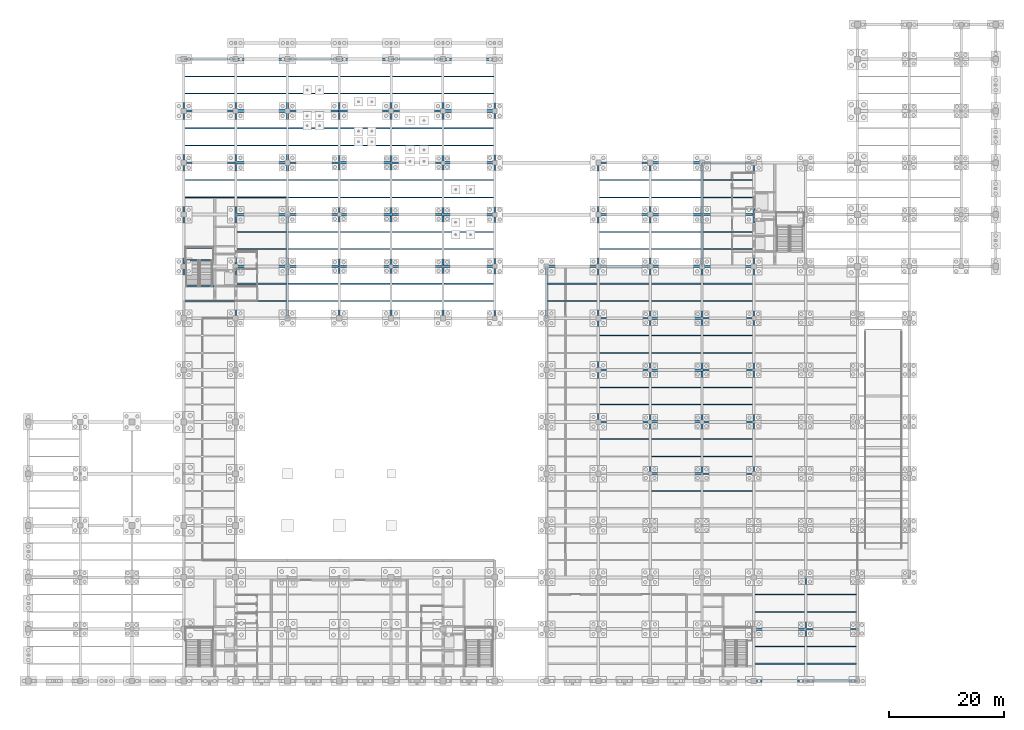
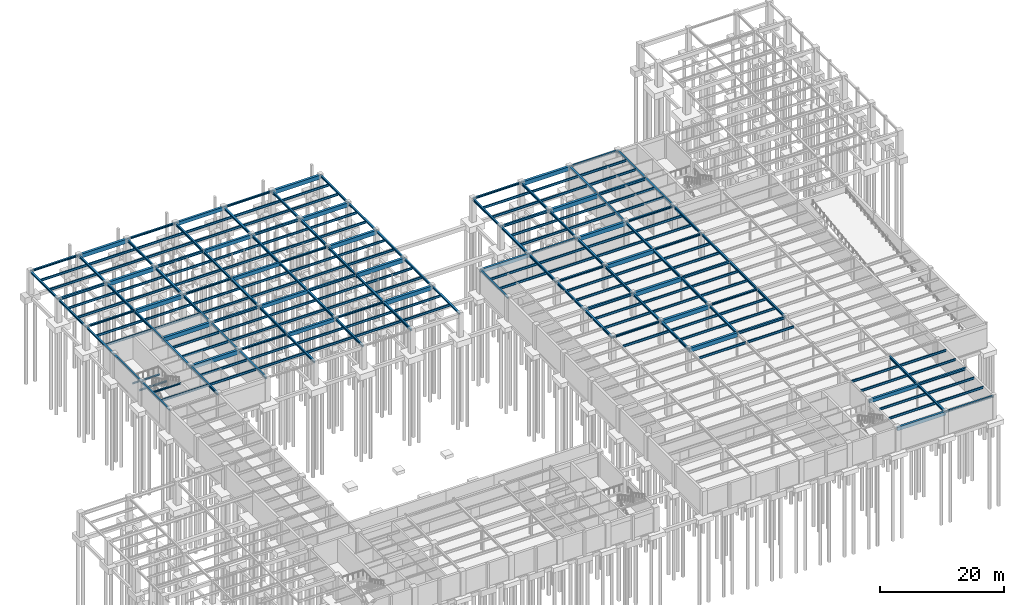
# One storey, part 34 of 49: 221 beams.
"""IFC4 building model written with IfcOpenShell, lengths in metres."""

from ifc_helpers import new_model, si_unit, direction, frame, origin, origin_2d, place, context, subcontext, project, spatial, rectangle, i_section, extrude, material, material_profile, profile_set, type_object, element, save


model = new_model("IFC4")

# Units and contexts
model_context = context("Model", 3, precision=1e-05, world=origin(), true_north=direction((0.0, 1.0)))
body_context = subcontext(model_context, "Body", "Model", "MODEL_VIEW")
ifc_project = project(units=[si_unit("LENGTHUNIT", "METRE"), si_unit("AREAUNIT", "SQUARE_METRE"), si_unit("VOLUMEUNIT", "CUBIC_METRE"), si_unit("PLANEANGLEUNIT", "RADIAN"), si_unit("MASSUNIT", "GRAM", prefix="KILO")], contexts=[model_context])

# Site, building, storey
site_placement = place(None, origin())
site = spatial("IfcSite", under=ifc_project, at=site_placement, CompositionType="ELEMENT")
building_placement = place(site_placement, origin())
building = spatial("IfcBuilding", under=site, at=building_placement, Name="Lykobir Media Centre", CompositionType="ELEMENT")
storey_placement = place(building_placement, frame((0.0, 0.0, -4.800048828125)))
storey = spatial("IfcBuildingStorey", under=building, at=storey_placement, Name="B1", CompositionType="ELEMENT", Elevation=-4.800048828125)

# Beams
ifc_material_1 = material(Name="Steel S355", Category="steel")
ifc_material_profile_1 = material_profile(ifc_material_1, i_section(OverallWidth=0.300048828125, OverallDepth=0.43994140625, WebThickness=0.011474609375, FlangeThickness=0.02099609375, at=origin_2d()), Name="HEA 450")
ifc_profile_set_1 = profile_set([ifc_material_profile_1], Name="Steel S355")
beam_type_1 = type_object("IfcBeamType", Name="BM-HEA450", PredefinedType="BEAM", material=ifc_profile_set_1)
for number, where, z_axis, x_axis, name in (
    (1, (36.0, 63.0, 4.330078125), (0.0, 1.0, 0.0), (-1.0, 0.0, 0.0), "Beam BM-B1-0360-0630-0360-0720--47"),
    (2, (36.0, 72.0, 4.330078125), (0.0, 1.0, 0.0), (-1.0, 0.0, 0.0), "Beam BM-B1-0360-0720-0360-0810--47"),
    (3, (36.0, 81.0, 4.330078125), (0.0, 1.0, 0.0), (-1.0, 0.0, 0.0), "Beam BM-B1-0360-0810-0360-0900--47"),
    (4, (36.0, 90.0, 4.330078125), (0.0, 1.0, 0.0), (-1.0, 0.0, 0.0), "Beam BM-B1-0360-0900-0360-0990--47"),
    (5, (36.0, 99.0, 4.330078125), (0.0, 1.0, 0.0), (-1.0, 0.0, 0.0), "Beam BM-B1-0360-0990-0360-1080--47"),
    (6, (45.0, 63.0, 4.330078125), (0.0, 1.0, 0.0), (-1.0, 0.0, 0.0), "Beam BM-B1-0450-0630-0450-0720--47"),
    (7, (45.0, 72.0, 4.330078125), (0.0, 1.0, 0.0), (-1.0, 0.0, 0.0), "Beam BM-B1-0450-0720-0450-0810--47"),
    (8, (45.0, 81.0, 4.330078125), (0.0, 1.0, 0.0), (-1.0, 0.0, 0.0), "Beam BM-B1-0450-0810-0450-0900--47"),
    (9, (45.0, 90.0, 4.330078125), (0.0, 1.0, 0.0), (-1.0, 0.0, 0.0), "Beam BM-B1-0450-0900-0450-0990--47"),
    (10, (45.0, 99.0, 4.330078125), (0.0, 1.0, 0.0), (-1.0, 0.0, 0.0), "Beam BM-B1-0450-0990-0450-1080--47"),
    (11, (54.0, 63.0, 4.330078125), (0.0, 1.0, 0.0), (-1.0, 0.0, 0.0), "Beam BM-B1-0540-0630-0540-0720--47"),
    (12, (54.0, 72.0, 4.330078125), (0.0, 1.0, 0.0), (-1.0, 0.0, 0.0), "Beam BM-B1-0540-0720-0540-0810--47"),
    (13, (54.0, 81.0, 4.330078125), (0.0, 1.0, 0.0), (-1.0, 0.0, 0.0), "Beam BM-B1-0540-0810-0540-0900--47"),
    (14, (54.0, 90.0, 4.330078125), (0.0, 1.0, 0.0), (-1.0, 0.0, 0.0), "Beam BM-B1-0540-0900-0540-0990--47"),
    (15, (54.0, 99.0, 4.330078125), (0.0, 1.0, 0.0), (-1.0, 0.0, 0.0), "Beam BM-B1-0540-0990-0540-1080--47"),
    (16, (63.0, 63.0, 4.330078125), (0.0, 1.0, 0.0), (-1.0, 0.0, 0.0), "Beam BM-B1-0630-0630-0630-0720--47"),
    (17, (63.0, 72.0, 4.330078125), (0.0, 1.0, 0.0), (-1.0, 0.0, 0.0), "Beam BM-B1-0630-0720-0630-0810--47"),
    (18, (63.0, 81.0, 4.330078125), (0.0, 1.0, 0.0), (-1.0, 0.0, 0.0), "Beam BM-B1-0630-0810-0630-0900--47"),
    (19, (63.0, 90.0, 4.330078125), (0.0, 1.0, 0.0), (-1.0, 0.0, 0.0), "Beam BM-B1-0630-0900-0630-0990--47"),
    (20, (63.0, 99.0, 4.330078125), (0.0, 1.0, 0.0), (-1.0, 0.0, 0.0), "Beam BM-B1-0630-0990-0630-1080--47"),
    (21, (72.0, 63.0, 4.330078125), (0.0, 1.0, 0.0), (-1.0, 0.0, 0.0), "Beam BM-B1-0720-0630-0720-0720--47"),
    (22, (72.0, 72.0, 4.330078125), (0.0, 1.0, 0.0), (-1.0, 0.0, 0.0), "Beam BM-B1-0720-0720-0720-0810--47"),
    (23, (72.0, 81.0, 4.330078125), (0.0, 1.0, 0.0), (-1.0, 0.0, 0.0), "Beam BM-B1-0720-0810-0720-0900--47"),
    (24, (72.0, 90.0, 4.330078125), (0.0, 1.0, 0.0), (-1.0, 0.0, 0.0), "Beam BM-B1-0720-0900-0720-0990--47"),
    (25, (72.0, 99.0, 4.330078125), (0.0, 1.0, 0.0), (-1.0, 0.0, 0.0), "Beam BM-B1-0720-0990-0720-1080--47"),
    (26, (99.0, 45.0, 4.330078125), (0.0, 1.0, 0.0), (-1.0, 0.0, 0.0), "Beam BM-B1-0990-0450-0990-0540--47"),
    (27, (99.0, 54.0, 4.330078125), (0.0, 1.0, 0.0), (-1.0, 0.0, 0.0), "Beam BM-B1-0990-0540-0990-0630--47"),
    (28, (99.0, 63.0, 4.330078125), (0.0, 1.0, 0.0), (-1.0, 0.0, 0.0), "Beam BM-B1-0990-0630-0990-0720--47"),
    (29, (99.0, 72.0, 4.330078125), (0.0, 1.0, 0.0), (-1.0, 0.0, 0.0), "Beam BM-B1-0990-0720-0990-0810--47"),
    (30, (99.0, 81.0, 4.330078125), (0.0, 1.0, 0.0), (-1.0, 0.0, 0.0), "Beam BM-B1-0990-0810-0990-0900--47"),
    (31, (108.0, 36.0, 4.330078125), (0.0, 1.0, 0.0), (-1.0, 0.0, 0.0), "Beam BM-B1-1080-0360-1080-0450--47"),
    (32, (108.0, 45.0, 4.330078125), (0.0, 1.0, 0.0), (-1.0, 0.0, 0.0), "Beam BM-B1-1080-0450-1080-0540--47"),
    (33, (108.0, 54.0, 4.330078125), (0.0, 1.0, 0.0), (-1.0, 0.0, 0.0), "Beam BM-B1-1080-0540-1080-0630--47"),
    (34, (108.0, 63.0, 4.330078125), (0.0, 1.0, 0.0), (-1.0, 0.0, 0.0), "Beam BM-B1-1080-0630-1080-0720--47"),
    (35, (108.0, 72.0, 4.330078125), (0.0, 1.0, 0.0), (-1.0, 0.0, 0.0), "Beam BM-B1-1080-0720-1080-0810--47"),
    (36, (108.0, 81.0, 4.330078125), (0.0, 1.0, 0.0), (-1.0, 0.0, 0.0), "Beam BM-B1-1080-0810-1080-0900--47"),
    (37, (117.0, 36.0, 4.330078125), (0.0, 1.0, 0.0), (-1.0, 0.0, 0.0), "Beam BM-B1-1170-0360-1170-0450--47"),
    (38, (117.0, 45.0, 4.330078125), (0.0, 1.0, 0.0), (-1.0, 0.0, 0.0), "Beam BM-B1-1170-0450-1170-0540--47"),
    (39, (117.0, 54.0, 4.330078125), (0.0, 1.0, 0.0), (-1.0, 0.0, 0.0), "Beam BM-B1-1170-0540-1170-0630--47"),
    (40, (117.0, 63.0, 4.330078125), (0.0, 1.0, 0.0), (-1.0, 0.0, 0.0), "Beam BM-B1-1170-0630-1170-0720--47"),
    (41, (117.0, 72.0, 4.330078125), (0.0, 1.0, 0.0), (-1.0, 0.0, 0.0), "Beam BM-B1-1170-0720-1170-0810--47"),
    (42, (117.0, 81.0, 4.330078125), (0.0, 1.0, 0.0), (-1.0, 0.0, 0.0), "Beam BM-B1-1170-0810-1170-0900--47"),
    (43, (126.0, 36.0, 4.330078125), (0.0, 1.0, 0.0), (-1.0, 0.0, 0.0), "Beam BM-B1-1260-0360-1260-0450--47"),
    (44, (126.0, 45.0, 4.330078125), (0.0, 1.0, 0.0), (-1.0, 0.0, 0.0), "Beam BM-B1-1260-0450-1260-0540--47"),
    (45, (126.0, 54.0, 4.330078125), (0.0, 1.0, 0.0), (-1.0, 0.0, 0.0), "Beam BM-B1-1260-0540-1260-0630--47"),
    (46, (126.0, 63.0, 4.330078125), (0.0, 1.0, 0.0), (-1.0, 0.0, 0.0), "Beam BM-B1-1260-0630-1260-0720--47"),
    (47, (126.0, 72.0, 4.330078125), (0.0, 1.0, 0.0), (-1.0, 0.0, 0.0), "Beam BM-B1-1260-0720-1260-0810--47"),
    (48, (126.0, 81.0, 4.330078125), (0.0, 1.0, 0.0), (-1.0, 0.0, 0.0), "Beam BM-B1-1260-0810-1260-0900--47"),
    (49, (135.0, 0.0, 4.330078125), (0.0, 1.0, 0.0), (-1.0, 0.0, 0.0), "Beam BM-B1-1350-0000-1350-0090--47"),
    (50, (135.0, 9.0, 4.330078125), (0.0, 1.0, 0.0), (-1.0, 0.0, 0.0), "Beam BM-B1-1350-0090-1350-0180--47"),
):
    element("IfcBeam", number, at=place(storey_placement, frame(where, z_axis=z_axis, x_axis=x_axis)), inside=storey, type_object=beam_type_1, Name=name, PredefinedType="BEAM", context=body_context, shape_type="SweptSolid", body=[
        extrude(i_section(OverallWidth=0.300048828125, OverallDepth=0.43994140625, WebThickness=0.011474609375, FlangeThickness=0.02099609375, at=origin_2d()), origin(), (0.0, 0.0, 1.0), 9.0),
    ])
ifc_material_profile_2 = material_profile(ifc_material_1, i_section(OverallWidth=0.300048828125, OverallDepth=0.489990234375, WebThickness=0.011962890625, FlangeThickness=0.02294921875, at=origin_2d()), Name="HEA 500")
ifc_profile_set_2 = profile_set([ifc_material_profile_2], Name="Steel S355")
beam_type_2 = type_object("IfcBeamType", Name="BM-HEA500", PredefinedType="BEAM", material=ifc_profile_set_2)
for number, where, z_axis, x_axis, name in (
    (51, (135.0, 9.0, 4.304931640625), (1.0, 0.0, 0.0), (0.0, 1.0, 0.0), "Beam BM-B1-1350-0090-1440-0090--50"),
    (52, (117.0, 36.0, 4.304931640625), (1.0, 0.0, 0.0), (0.0, 1.0, 0.0), "Beam BM-B1-1170-0360-1260-0360--50"),
    (53, (99.0, 54.0, 4.304931640625), (1.0, 0.0, 0.0), (0.0, 1.0, 0.0), "Beam BM-B1-0990-0540-1080-0540--50"),
    (54, (117.0, 54.0, 4.304931640625), (1.0, 0.0, 0.0), (0.0, 1.0, 0.0), "Beam BM-B1-1170-0540-1260-0540--50"),
    (55, (45.0, 81.0, 4.304931640625), (1.0, 0.0, 0.0), (0.0, 1.0, 0.0), "Beam BM-B1-0450-0810-0540-0810--50"),
    (56, (63.0, 81.0, 4.304931640625), (1.0, 0.0, 0.0), (0.0, 1.0, 0.0), "Beam BM-B1-0630-0810-0720-0810--50"),
    (57, (99.0, 81.0, 4.304931640625), (1.0, 0.0, 0.0), (0.0, 1.0, 0.0), "Beam BM-B1-0990-0810-1080-0810--50"),
    (58, (117.0, 81.0, 4.304931640625), (1.0, 0.0, 0.0), (0.0, 1.0, 0.0), "Beam BM-B1-1170-0810-1260-0810--50"),
    (59, (27.0, 99.0, 4.304931640625), (1.0, 0.0, 0.0), (0.0, 1.0, 0.0), "Beam BM-B1-0270-0990-0360-0990--50"),
    (60, (45.0, 99.0, 4.304931640625), (1.0, 0.0, 0.0), (0.0, 1.0, 0.0), "Beam BM-B1-0450-0990-0540-0990--50"),
    (61, (63.0, 99.0, 4.304931640625), (1.0, 0.0, 0.0), (0.0, 1.0, 0.0), "Beam BM-B1-0630-0990-0720-0990--50"),
):
    element("IfcBeam", number, at=place(storey_placement, frame(where, z_axis=z_axis, x_axis=x_axis)), inside=storey, type_object=beam_type_2, Name=name, PredefinedType="BEAM", context=body_context, shape_type="SweptSolid", body=[
        extrude(i_section(OverallWidth=0.300048828125, OverallDepth=0.489990234375, WebThickness=0.011962890625, FlangeThickness=0.02294921875, at=origin_2d()), origin(), (0.0, 0.0, 1.0), 9.0),
    ])
ifc_material_2 = material(Name="Concrete C40/50", Category="concrete")
ifc_material_profile_3 = material_profile(ifc_material_2, rectangle(XDim=0.39990234375, YDim=0.699951171875, at=origin_2d()), Name="RC BEAM 400x700")
ifc_profile_set_3 = profile_set([ifc_material_profile_3], Name="Concrete C40/50")
beam_type_3 = type_object("IfcBeamType", Name="BM-RC700", PredefinedType="BEAM", material=ifc_profile_set_3)
for number, where, z_axis, x_axis, name in (
    (62, (126.0, 0.0, 4.199951171875), (1.0, 0.0, 0.0), (0.0, 1.0, 0.0), "Beam BM-B1-1260-0000-1350-0000--60"),
    (63, (126.0, 9.0, 4.199951171875), (1.0, 0.0, 0.0), (0.0, 1.0, 0.0), "Beam BM-B1-1260-0090-1350-0090--60"),
    (64, (54.0, 72.0, 4.199951171875), (1.0, 0.0, 0.0), (0.0, 1.0, 0.0), "Beam BM-B1-0540-0720-0630-0720--60"),
    (65, (90.0, 72.0, 4.199951171875), (1.0, 0.0, 0.0), (0.0, 1.0, 0.0), "Beam BM-B1-0900-0720-0990-0720--60"),
    (66, (54.0, 81.0, 4.199951171875), (1.0, 0.0, 0.0), (0.0, 1.0, 0.0), "Beam BM-B1-0540-0810-0630-0810--60"),
    (67, (54.0, 90.0, 4.199951171875), (1.0, 0.0, 0.0), (0.0, 1.0, 0.0), "Beam BM-B1-0540-0900-0630-0900--60"),
    (68, (54.0, 99.0, 4.199951171875), (1.0, 0.0, 0.0), (0.0, 1.0, 0.0), "Beam BM-B1-0540-0990-0630-0990--60"),
    (69, (54.0, 108.0, 4.199951171875), (1.0, 0.0, 0.0), (0.0, 1.0, 0.0), "Beam BM-B1-0540-1080-0630-1080--60"),
):
    element("IfcBeam", number, at=place(storey_placement, frame(where, z_axis=z_axis, x_axis=x_axis)), inside=storey, type_object=beam_type_3, Name=name, PredefinedType="BEAM", context=body_context, shape_type="SweptSolid", body=[
        extrude(rectangle(XDim=0.39990234375, YDim=0.699951171875, at=origin_2d()), origin(), (0.0, 0.0, 1.0), 9.0),
    ])
ifc_material_profile_4 = material_profile(ifc_material_2, rectangle(XDim=0.449951171875, YDim=0.800048828125, at=origin_2d()), Name="RC BEAM 450x800")
ifc_profile_set_4 = profile_set([ifc_material_profile_4], Name="Concrete C40/50")
beam_type_4 = type_object("IfcBeamType", Name="BM-RC800", PredefinedType="BEAM", material=ifc_profile_set_4)
for number, where, z_axis, x_axis, name in (
    (70, (108.0, 36.0, 4.150146484375), (1.0, 0.0, 0.0), (0.0, 1.0, 0.0), "Beam BM-B1-1080-0360-1170-0360--65"),
    (71, (108.0, 45.0, 4.150146484375), (1.0, 0.0, 0.0), (0.0, 1.0, 0.0), "Beam BM-B1-1080-0450-1170-0450--65"),
    (72, (108.0, 54.0, 4.150146484375), (1.0, 0.0, 0.0), (0.0, 1.0, 0.0), "Beam BM-B1-1080-0540-1170-0540--65"),
    (73, (108.0, 63.0, 4.150146484375), (1.0, 0.0, 0.0), (0.0, 1.0, 0.0), "Beam BM-B1-1080-0630-1170-0630--65"),
    (74, (36.0, 72.0, 4.150146484375), (1.0, 0.0, 0.0), (0.0, 1.0, 0.0), "Beam BM-B1-0360-0720-0450-0720--65"),
    (75, (72.0, 72.0, 4.150146484375), (1.0, 0.0, 0.0), (0.0, 1.0, 0.0), "Beam BM-B1-0720-0720-0810-0720--65"),
    (76, (108.0, 72.0, 4.150146484375), (1.0, 0.0, 0.0), (0.0, 1.0, 0.0), "Beam BM-B1-1080-0720-1170-0720--65"),
    (77, (36.0, 81.0, 4.150146484375), (1.0, 0.0, 0.0), (0.0, 1.0, 0.0), "Beam BM-B1-0360-0810-0450-0810--65"),
    (78, (72.0, 81.0, 4.150146484375), (1.0, 0.0, 0.0), (0.0, 1.0, 0.0), "Beam BM-B1-0720-0810-0810-0810--65"),
    (79, (108.0, 81.0, 4.150146484375), (1.0, 0.0, 0.0), (0.0, 1.0, 0.0), "Beam BM-B1-1080-0810-1170-0810--65"),
    (80, (36.0, 90.0, 4.150146484375), (1.0, 0.0, 0.0), (0.0, 1.0, 0.0), "Beam BM-B1-0360-0900-0450-0900--65"),
    (81, (72.0, 90.0, 4.150146484375), (1.0, 0.0, 0.0), (0.0, 1.0, 0.0), "Beam BM-B1-0720-0900-0810-0900--65"),
    (82, (108.0, 90.0, 4.150146484375), (1.0, 0.0, 0.0), (0.0, 1.0, 0.0), "Beam BM-B1-1080-0900-1170-0900--65"),
    (83, (36.0, 99.0, 4.150146484375), (1.0, 0.0, 0.0), (0.0, 1.0, 0.0), "Beam BM-B1-0360-0990-0450-0990--65"),
    (84, (72.0, 99.0, 4.150146484375), (1.0, 0.0, 0.0), (0.0, 1.0, 0.0), "Beam BM-B1-0720-0990-0810-0990--65"),
    (85, (36.0, 108.0, 4.150146484375), (1.0, 0.0, 0.0), (0.0, 1.0, 0.0), "Beam BM-B1-0360-1080-0450-1080--65"),
    (86, (72.0, 108.0, 4.150146484375), (1.0, 0.0, 0.0), (0.0, 1.0, 0.0), "Beam BM-B1-0720-1080-0810-1080--65"),
):
    element("IfcBeam", number, at=place(storey_placement, frame(where, z_axis=z_axis, x_axis=x_axis)), inside=storey, type_object=beam_type_4, Name=name, PredefinedType="BEAM", context=body_context, shape_type="SweptSolid", body=[
        extrude(rectangle(XDim=0.449951171875, YDim=0.800048828125, at=origin_2d()), origin(), (0.0, 0.0, 1.0), 9.0),
    ])
ifc_material_profile_5 = material_profile(ifc_material_1, i_section(OverallWidth=0.260009765625, OverallDepth=0.25, WebThickness=0.007568359375, FlangeThickness=0.012451171875, at=origin_2d()), Name="HEA 260")
ifc_profile_set_5 = profile_set([ifc_material_profile_5], Name="Steel S355")
beam_type_5 = type_object("IfcBeamType", Name="BM-ST260", PredefinedType="BEAM", material=ifc_profile_set_5)
beam_placement = place(storey_placement, frame((27.1298828125, 75.280029296875, 2.080078125), z_axis=(1.0, 0.0, 0.0), x_axis=(0.0, 1.0, 0.0)))
element("IfcBeam", 87, at=beam_placement, inside=storey, type_object=beam_type_5, Name="ST-3 B1 half-landing support beam", PredefinedType="BEAM", context=body_context, shape_type="SweptSolid", body=[
    extrude(i_section(OverallWidth=0.260009765625, OverallDepth=0.25, WebThickness=0.007568359375, FlangeThickness=0.012451171875, at=origin_2d()), origin(), (0.0, 0.0, 1.0), 5.14013671875),
])
ifc_material_profile_6 = material_profile(ifc_material_1, i_section(OverallWidth=0.280029296875, OverallDepth=0.27001953125, WebThickness=0.008056640625, FlangeThickness=0.012939453125, at=origin_2d()), Name="HEA 280")
ifc_profile_set_6 = profile_set([ifc_material_profile_6], Name="Steel S355")
beam_type_6 = type_object("IfcBeamType", Name="BM-ST280", PredefinedType="BEAM", material=ifc_profile_set_6)
for number, where, z_axis, x_axis, name in (
    (88, (27.1298828125, 68.580078125, 4.4150390625), (1.0, 0.0, 0.0), (0.0, 1.0, 0.0), "ST-3 B1 arrival trimmer beam"),
    (89, (27.1298828125, 73.080078125, 2.070068359375), (1.0, 0.0, 0.0), (0.0, 1.0, 0.0), "ST-3 B1 mid-landing trimmer beam"),
):
    element("IfcBeam", number, at=place(storey_placement, frame(where, z_axis=z_axis, x_axis=x_axis)), inside=storey, type_object=beam_type_6, Name=name, PredefinedType="BEAM", context=body_context, shape_type="SweptSolid", body=[
        extrude(i_section(OverallWidth=0.280029296875, OverallDepth=0.27001953125, WebThickness=0.008056640625, FlangeThickness=0.012939453125, at=origin_2d()), origin(), (0.0, 0.0, 1.0), 5.14013671875),
    ])
ifc_material_profile_7 = material_profile(ifc_material_1, i_section(OverallWidth=0.18994140625, OverallDepth=0.449951171875, WebThickness=0.009521484375, FlangeThickness=0.0146484375, at=origin_2d()), Name="IPE 450")
ifc_profile_set_7 = profile_set([ifc_material_profile_7], Name="Steel S355")
beam_type_7 = type_object("IfcBeamType", Name="JS-IPE450", PredefinedType="JOIST", material=ifc_profile_set_7)
for number, where, z_axis, x_axis, name in (
    (90, (27.14990234375, 66.0, 4.324951171875), (1.0, 0.0, 0.0), (0.0, 1.0, 0.0), "Beam BM-B1-0272-0660-0358-0660--48"),
    (91, (27.14990234375, 84.0, 4.324951171875), (1.0, 0.0, 0.0), (0.0, 1.0, 0.0), "Beam BM-B1-0272-0840-0358-0840--48"),
    (92, (27.14990234375, 87.0, 4.324951171875), (1.0, 0.0, 0.0), (0.0, 1.0, 0.0), "Beam BM-B1-0272-0870-0358-0870--48"),
    (93, (27.14990234375, 93.0, 4.324951171875), (1.0, 0.0, 0.0), (0.0, 1.0, 0.0), "Beam BM-B1-0272-0930-0358-0930--48"),
    (94, (27.14990234375, 96.0, 4.324951171875), (1.0, 0.0, 0.0), (0.0, 1.0, 0.0), "Beam BM-B1-0272-0960-0358-0960--48"),
    (95, (27.14990234375, 102.0, 4.324951171875), (1.0, 0.0, 0.0), (0.0, 1.0, 0.0), "Beam BM-B1-0272-1020-0358-1020--48"),
    (96, (27.14990234375, 105.0, 4.324951171875), (1.0, 0.0, 0.0), (0.0, 1.0, 0.0), "Beam BM-B1-0272-1050-0358-1050--48"),
    (97, (36.14990234375, 66.0, 4.324951171875), (1.0, 0.0, 0.0), (0.0, 1.0, 0.0), "Beam BM-B1-0362-0660-0448-0660--48"),
    (98, (36.14990234375, 69.0, 4.324951171875), (1.0, 0.0, 0.0), (0.0, 1.0, 0.0), "Beam BM-B1-0362-0690-0448-0690--48"),
    (99, (36.14990234375, 75.0, 4.324951171875), (1.0, 0.0, 0.0), (0.0, 1.0, 0.0), "Beam BM-B1-0362-0750-0448-0750--48"),
    (100, (36.14990234375, 78.0, 4.324951171875), (1.0, 0.0, 0.0), (0.0, 1.0, 0.0), "Beam BM-B1-0362-0780-0448-0780--48"),
    (101, (36.14990234375, 84.0, 4.324951171875), (1.0, 0.0, 0.0), (0.0, 1.0, 0.0), "Beam BM-B1-0362-0840-0448-0840--48"),
    (102, (36.14990234375, 87.0, 4.324951171875), (1.0, 0.0, 0.0), (0.0, 1.0, 0.0), "Beam BM-B1-0362-0870-0448-0870--48"),
    (103, (36.14990234375, 93.0, 4.324951171875), (1.0, 0.0, 0.0), (0.0, 1.0, 0.0), "Beam BM-B1-0362-0930-0448-0930--48"),
    (104, (36.14990234375, 96.0, 4.324951171875), (1.0, 0.0, 0.0), (0.0, 1.0, 0.0), "Beam BM-B1-0362-0960-0448-0960--48"),
    (105, (36.14990234375, 102.0, 4.324951171875), (1.0, 0.0, 0.0), (0.0, 1.0, 0.0), "Beam BM-B1-0362-1020-0448-1020--48"),
    (106, (36.14990234375, 105.0, 4.324951171875), (1.0, 0.0, 0.0), (0.0, 1.0, 0.0), "Beam BM-B1-0362-1050-0448-1050--48"),
    (107, (45.14990234375, 66.0, 4.324951171875), (1.0, 0.0, 0.0), (0.0, 1.0, 0.0), "Beam BM-B1-0452-0660-0538-0660--48"),
    (108, (45.14990234375, 69.0, 4.324951171875), (1.0, 0.0, 0.0), (0.0, 1.0, 0.0), "Beam BM-B1-0452-0690-0538-0690--48"),
    (109, (45.14990234375, 75.0, 4.324951171875), (1.0, 0.0, 0.0), (0.0, 1.0, 0.0), "Beam BM-B1-0452-0750-0538-0750--48"),
    (110, (45.14990234375, 78.0, 4.324951171875), (1.0, 0.0, 0.0), (0.0, 1.0, 0.0), "Beam BM-B1-0452-0780-0538-0780--48"),
    (111, (45.14990234375, 84.0, 4.324951171875), (1.0, 0.0, 0.0), (0.0, 1.0, 0.0), "Beam BM-B1-0452-0840-0538-0840--48"),
    (112, (45.14990234375, 87.0, 4.324951171875), (1.0, 0.0, 0.0), (0.0, 1.0, 0.0), "Beam BM-B1-0452-0870-0538-0870--48"),
    (113, (45.14990234375, 93.0, 4.324951171875), (1.0, 0.0, 0.0), (0.0, 1.0, 0.0), "Beam BM-B1-0452-0930-0538-0930--48"),
    (114, (45.14990234375, 96.0, 4.324951171875), (1.0, 0.0, 0.0), (0.0, 1.0, 0.0), "Beam BM-B1-0452-0960-0538-0960--48"),
    (115, (45.14990234375, 102.0, 4.324951171875), (1.0, 0.0, 0.0), (0.0, 1.0, 0.0), "Beam BM-B1-0452-1020-0538-1020--48"),
    (116, (45.14990234375, 105.0, 4.324951171875), (1.0, 0.0, 0.0), (0.0, 1.0, 0.0), "Beam BM-B1-0452-1050-0538-1050--48"),
    (117, (54.14990234375, 66.0, 4.324951171875), (1.0, 0.0, 0.0), (0.0, 1.0, 0.0), "Beam BM-B1-0542-0660-0628-0660--48"),
    (118, (54.14990234375, 69.0, 4.324951171875), (1.0, 0.0, 0.0), (0.0, 1.0, 0.0), "Beam BM-B1-0542-0690-0628-0690--48"),
    (119, (54.14990234375, 75.0, 4.324951171875), (1.0, 0.0, 0.0), (0.0, 1.0, 0.0), "Beam BM-B1-0542-0750-0628-0750--48"),
    (120, (54.14990234375, 78.0, 4.324951171875), (1.0, 0.0, 0.0), (0.0, 1.0, 0.0), "Beam BM-B1-0542-0780-0628-0780--48"),
    (121, (54.14990234375, 84.0, 4.324951171875), (1.0, 0.0, 0.0), (0.0, 1.0, 0.0), "Beam BM-B1-0542-0840-0628-0840--48"),
    (122, (54.14990234375, 87.0, 4.324951171875), (1.0, 0.0, 0.0), (0.0, 1.0, 0.0), "Beam BM-B1-0542-0870-0628-0870--48"),
    (123, (54.14990234375, 93.0, 4.324951171875), (1.0, 0.0, 0.0), (0.0, 1.0, 0.0), "Beam BM-B1-0542-0930-0628-0930--48"),
    (124, (54.14990234375, 96.0, 4.324951171875), (1.0, 0.0, 0.0), (0.0, 1.0, 0.0), "Beam BM-B1-0542-0960-0628-0960--48"),
    (125, (54.14990234375, 102.0, 4.324951171875), (1.0, 0.0, 0.0), (0.0, 1.0, 0.0), "Beam BM-B1-0542-1020-0628-1020--48"),
    (126, (54.14990234375, 105.0, 4.324951171875), (1.0, 0.0, 0.0), (0.0, 1.0, 0.0), "Beam BM-B1-0542-1050-0628-1050--48"),
    (127, (63.14990234375, 66.0, 4.324951171875), (1.0, 0.0, 0.0), (0.0, 1.0, 0.0), "Beam BM-B1-0632-0660-0718-0660--48"),
    (128, (63.14990234375, 69.0, 4.324951171875), (1.0, 0.0, 0.0), (0.0, 1.0, 0.0), "Beam BM-B1-0632-0690-0718-0690--48"),
    (129, (63.14990234375, 75.0, 4.324951171875), (1.0, 0.0, 0.0), (0.0, 1.0, 0.0), "Beam BM-B1-0632-0750-0718-0750--48"),
    (130, (63.14990234375, 78.0, 4.324951171875), (1.0, 0.0, 0.0), (0.0, 1.0, 0.0), "Beam BM-B1-0632-0780-0718-0780--48"),
    (131, (63.14990234375, 84.0, 4.324951171875), (1.0, 0.0, 0.0), (0.0, 1.0, 0.0), "Beam BM-B1-0632-0840-0718-0840--48"),
    (132, (63.14990234375, 87.0, 4.324951171875), (1.0, 0.0, 0.0), (0.0, 1.0, 0.0), "Beam BM-B1-0632-0870-0718-0870--48"),
    (133, (63.14990234375, 93.0, 4.324951171875), (1.0, 0.0, 0.0), (0.0, 1.0, 0.0), "Beam BM-B1-0632-0930-0718-0930--48"),
    (134, (63.14990234375, 96.0, 4.324951171875), (1.0, 0.0, 0.0), (0.0, 1.0, 0.0), "Beam BM-B1-0632-0960-0718-0960--48"),
    (135, (63.14990234375, 102.0, 4.324951171875), (1.0, 0.0, 0.0), (0.0, 1.0, 0.0), "Beam BM-B1-0632-1020-0718-1020--48"),
    (136, (63.14990234375, 105.0, 4.324951171875), (1.0, 0.0, 0.0), (0.0, 1.0, 0.0), "Beam BM-B1-0632-1050-0718-1050--48"),
    (137, (72.14990234375, 66.0, 4.324951171875), (1.0, 0.0, 0.0), (0.0, 1.0, 0.0), "Beam BM-B1-0722-0660-0808-0660--48"),
    (138, (72.14990234375, 69.0, 4.324951171875), (1.0, 0.0, 0.0), (0.0, 1.0, 0.0), "Beam BM-B1-0722-0690-0808-0690--48"),
    (139, (72.14990234375, 75.0, 4.324951171875), (1.0, 0.0, 0.0), (0.0, 1.0, 0.0), "Beam BM-B1-0722-0750-0808-0750--48"),
    (140, (72.14990234375, 78.0, 4.324951171875), (1.0, 0.0, 0.0), (0.0, 1.0, 0.0), "Beam BM-B1-0722-0780-0808-0780--48"),
    (141, (72.14990234375, 84.0, 4.324951171875), (1.0, 0.0, 0.0), (0.0, 1.0, 0.0), "Beam BM-B1-0722-0840-0808-0840--48"),
    (142, (72.14990234375, 87.0, 4.324951171875), (1.0, 0.0, 0.0), (0.0, 1.0, 0.0), "Beam BM-B1-0722-0870-0808-0870--48"),
    (143, (72.14990234375, 93.0, 4.324951171875), (1.0, 0.0, 0.0), (0.0, 1.0, 0.0), "Beam BM-B1-0722-0930-0808-0930--48"),
    (144, (72.14990234375, 96.0, 4.324951171875), (1.0, 0.0, 0.0), (0.0, 1.0, 0.0), "Beam BM-B1-0722-0960-0808-0960--48"),
    (145, (72.14990234375, 102.0, 4.324951171875), (1.0, 0.0, 0.0), (0.0, 1.0, 0.0), "Beam BM-B1-0722-1020-0808-1020--48"),
    (146, (72.14990234375, 105.0, 4.324951171875), (1.0, 0.0, 0.0), (0.0, 1.0, 0.0), "Beam BM-B1-0722-1050-0808-1050--48"),
    (147, (90.14990234375, 66.0, 4.324951171875), (1.0, 0.0, 0.0), (0.0, 1.0, 0.0), "Beam BM-B1-0902-0660-0988-0660--48"),
    (148, (90.14990234375, 69.0, 4.324951171875), (1.0, 0.0, 0.0), (0.0, 1.0, 0.0), "Beam BM-B1-0902-0690-0988-0690--48"),
    (149, (99.14990234375, 42.0, 4.324951171875), (1.0, 0.0, 0.0), (0.0, 1.0, 0.0), "Beam BM-B1-0992-0420-1078-0420--48"),
    (150, (99.14990234375, 48.0, 4.324951171875), (1.0, 0.0, 0.0), (0.0, 1.0, 0.0), "Beam BM-B1-0992-0480-1078-0480--48"),
    (151, (99.14990234375, 51.0, 4.324951171875), (1.0, 0.0, 0.0), (0.0, 1.0, 0.0), "Beam BM-B1-0992-0510-1078-0510--48"),
    (152, (99.14990234375, 57.0, 4.324951171875), (1.0, 0.0, 0.0), (0.0, 1.0, 0.0), "Beam BM-B1-0992-0570-1078-0570--48"),
    (153, (99.14990234375, 60.0, 4.324951171875), (1.0, 0.0, 0.0), (0.0, 1.0, 0.0), "Beam BM-B1-0992-0600-1078-0600--48"),
    (154, (99.14990234375, 66.0, 4.324951171875), (1.0, 0.0, 0.0), (0.0, 1.0, 0.0), "Beam BM-B1-0992-0660-1078-0660--48"),
    (155, (99.14990234375, 69.0, 4.324951171875), (1.0, 0.0, 0.0), (0.0, 1.0, 0.0), "Beam BM-B1-0992-0690-1078-0690--48"),
    (156, (99.14990234375, 75.0, 4.324951171875), (1.0, 0.0, 0.0), (0.0, 1.0, 0.0), "Beam BM-B1-0992-0750-1078-0750--48"),
    (157, (99.14990234375, 78.0, 4.324951171875), (1.0, 0.0, 0.0), (0.0, 1.0, 0.0), "Beam BM-B1-0992-0780-1078-0780--48"),
    (158, (99.14990234375, 84.0, 4.324951171875), (1.0, 0.0, 0.0), (0.0, 1.0, 0.0), "Beam BM-B1-0992-0840-1078-0840--48"),
    (159, (99.14990234375, 87.0, 4.324951171875), (1.0, 0.0, 0.0), (0.0, 1.0, 0.0), "Beam BM-B1-0992-0870-1078-0870--48"),
    (160, (108.14990234375, 33.0, 4.324951171875), (1.0, 0.0, 0.0), (0.0, 1.0, 0.0), "Beam BM-B1-1082-0330-1168-0330--48"),
    (161, (108.14990234375, 39.0, 4.324951171875), (1.0, 0.0, 0.0), (0.0, 1.0, 0.0), "Beam BM-B1-1082-0390-1168-0390--48"),
    (162, (108.14990234375, 42.0, 4.324951171875), (1.0, 0.0, 0.0), (0.0, 1.0, 0.0), "Beam BM-B1-1082-0420-1168-0420--48"),
    (163, (108.14990234375, 48.0, 4.324951171875), (1.0, 0.0, 0.0), (0.0, 1.0, 0.0), "Beam BM-B1-1082-0480-1168-0480--48"),
    (164, (108.14990234375, 51.0, 4.324951171875), (1.0, 0.0, 0.0), (0.0, 1.0, 0.0), "Beam BM-B1-1082-0510-1168-0510--48"),
    (165, (108.14990234375, 57.0, 4.324951171875), (1.0, 0.0, 0.0), (0.0, 1.0, 0.0), "Beam BM-B1-1082-0570-1168-0570--48"),
    (166, (108.14990234375, 60.0, 4.324951171875), (1.0, 0.0, 0.0), (0.0, 1.0, 0.0), "Beam BM-B1-1082-0600-1168-0600--48"),
    (167, (108.14990234375, 66.0, 4.324951171875), (1.0, 0.0, 0.0), (0.0, 1.0, 0.0), "Beam BM-B1-1082-0660-1168-0660--48"),
    (168, (108.14990234375, 69.0, 4.324951171875), (1.0, 0.0, 0.0), (0.0, 1.0, 0.0), "Beam BM-B1-1082-0690-1168-0690--48"),
    (169, (108.14990234375, 75.0, 4.324951171875), (1.0, 0.0, 0.0), (0.0, 1.0, 0.0), "Beam BM-B1-1082-0750-1168-0750--48"),
    (170, (108.14990234375, 78.0, 4.324951171875), (1.0, 0.0, 0.0), (0.0, 1.0, 0.0), "Beam BM-B1-1082-0780-1168-0780--48"),
    (171, (108.14990234375, 84.0, 4.324951171875), (1.0, 0.0, 0.0), (0.0, 1.0, 0.0), "Beam BM-B1-1082-0840-1168-0840--48"),
    (172, (108.14990234375, 87.0, 4.324951171875), (1.0, 0.0, 0.0), (0.0, 1.0, 0.0), "Beam BM-B1-1082-0870-1168-0870--48"),
    (173, (117.14990234375, 33.0, 4.324951171875), (1.0, 0.0, 0.0), (0.0, 1.0, 0.0), "Beam BM-B1-1172-0330-1258-0330--48"),
    (174, (117.14990234375, 39.0, 4.324951171875), (1.0, 0.0, 0.0), (0.0, 1.0, 0.0), "Beam BM-B1-1172-0390-1258-0390--48"),
    (175, (117.14990234375, 42.0, 4.324951171875), (1.0, 0.0, 0.0), (0.0, 1.0, 0.0), "Beam BM-B1-1172-0420-1258-0420--48"),
    (176, (117.14990234375, 48.0, 4.324951171875), (1.0, 0.0, 0.0), (0.0, 1.0, 0.0), "Beam BM-B1-1172-0480-1258-0480--48"),
    (177, (117.14990234375, 51.0, 4.324951171875), (1.0, 0.0, 0.0), (0.0, 1.0, 0.0), "Beam BM-B1-1172-0510-1258-0510--48"),
    (178, (117.14990234375, 57.0, 4.324951171875), (1.0, 0.0, 0.0), (0.0, 1.0, 0.0), "Beam BM-B1-1172-0570-1258-0570--48"),
    (179, (117.14990234375, 60.0, 4.324951171875), (1.0, 0.0, 0.0), (0.0, 1.0, 0.0), "Beam BM-B1-1172-0600-1258-0600--48"),
    (180, (117.14990234375, 66.0, 4.324951171875), (1.0, 0.0, 0.0), (0.0, 1.0, 0.0), "Beam BM-B1-1172-0660-1258-0660--48"),
    (181, (117.14990234375, 69.0, 4.324951171875), (1.0, 0.0, 0.0), (0.0, 1.0, 0.0), "Beam BM-B1-1172-0690-1258-0690--48"),
    (182, (117.14990234375, 75.0, 4.324951171875), (1.0, 0.0, 0.0), (0.0, 1.0, 0.0), "Beam BM-B1-1172-0750-1258-0750--48"),
    (183, (117.14990234375, 78.0, 4.324951171875), (1.0, 0.0, 0.0), (0.0, 1.0, 0.0), "Beam BM-B1-1172-0780-1258-0780--48"),
    (184, (117.14990234375, 84.0, 4.324951171875), (1.0, 0.0, 0.0), (0.0, 1.0, 0.0), "Beam BM-B1-1172-0840-1258-0840--48"),
    (185, (117.14990234375, 87.0, 4.324951171875), (1.0, 0.0, 0.0), (0.0, 1.0, 0.0), "Beam BM-B1-1172-0870-1258-0870--48"),
    (186, (126.14990234375, 3.0, 4.324951171875), (1.0, 0.0, 0.0), (0.0, 1.0, 0.0), "Beam BM-B1-1262-0030-1348-0030--48"),
    (187, (126.14990234375, 6.0, 4.324951171875), (1.0, 0.0, 0.0), (0.0, 1.0, 0.0), "Beam BM-B1-1262-0060-1348-0060--48"),
    (188, (126.14990234375, 12.0, 4.324951171875), (1.0, 0.0, 0.0), (0.0, 1.0, 0.0), "Beam BM-B1-1262-0120-1348-0120--48"),
    (189, (126.14990234375, 15.0, 4.324951171875), (1.0, 0.0, 0.0), (0.0, 1.0, 0.0), "Beam BM-B1-1262-0150-1348-0150--48"),
    (190, (135.14990234375, 3.0, 4.324951171875), (1.0, 0.0, 0.0), (0.0, 1.0, 0.0), "Beam BM-B1-1352-0030-1438-0030--48"),
    (191, (135.14990234375, 6.0, 4.324951171875), (1.0, 0.0, 0.0), (0.0, 1.0, 0.0), "Beam BM-B1-1352-0060-1438-0060--48"),
    (192, (135.14990234375, 12.0, 4.324951171875), (1.0, 0.0, 0.0), (0.0, 1.0, 0.0), "Beam BM-B1-1352-0120-1438-0120--48"),
    (193, (135.14990234375, 15.0, 4.324951171875), (1.0, 0.0, 0.0), (0.0, 1.0, 0.0), "Beam BM-B1-1352-0150-1438-0150--48"),
):
    element("IfcBeam", number, at=place(storey_placement, frame(where, z_axis=z_axis, x_axis=x_axis)), inside=storey, type_object=beam_type_7, Name=name, PredefinedType="JOIST", context=body_context, shape_type="SweptSolid", body=[
        extrude(i_section(OverallWidth=0.18994140625, OverallDepth=0.449951171875, WebThickness=0.009521484375, FlangeThickness=0.0146484375, at=origin_2d()), origin(), (0.0, 0.0, 1.0), 8.7001953125),
    ])
ifc_material_profile_8 = material_profile(ifc_material_1, i_section(OverallWidth=0.300048828125, OverallDepth=0.35009765625, WebThickness=0.010009765625, FlangeThickness=0.017578125, at=origin_2d()), Name="HEA 360")
ifc_profile_set_8 = profile_set([ifc_material_profile_8], Name="Steel S355")
beam_type_8 = type_object("IfcBeamType", Name="SP-HEA360", PredefinedType="SPANDREL", material=ifc_profile_set_8)
for number, where, z_axis, x_axis, name in (
    (194, (135.0, 0.0, 4.375), (1.0, 0.0, 0.0), (0.0, 1.0, 0.0), "Beam BM-B1-1350-0000-1440-0000--42"),
    (195, (99.0, 45.0, 4.375), (1.0, 0.0, 0.0), (0.0, 1.0, 0.0), "Beam BM-B1-0990-0450-1080-0450--42"),
    (196, (117.0, 45.0, 4.375), (1.0, 0.0, 0.0), (0.0, 1.0, 0.0), "Beam BM-B1-1170-0450-1260-0450--42"),
    (197, (99.0, 63.0, 4.375), (1.0, 0.0, 0.0), (0.0, 1.0, 0.0), "Beam BM-B1-0990-0630-1080-0630--42"),
    (198, (117.0, 63.0, 4.375), (1.0, 0.0, 0.0), (0.0, 1.0, 0.0), "Beam BM-B1-1170-0630-1260-0630--42"),
    (199, (45.0, 72.0, 4.375), (1.0, 0.0, 0.0), (0.0, 1.0, 0.0), "Beam BM-B1-0450-0720-0540-0720--42"),
    (200, (63.0, 72.0, 4.375), (1.0, 0.0, 0.0), (0.0, 1.0, 0.0), "Beam BM-B1-0630-0720-0720-0720--42"),
    (201, (99.0, 72.0, 4.375), (1.0, 0.0, 0.0), (0.0, 1.0, 0.0), "Beam BM-B1-0990-0720-1080-0720--42"),
    (202, (117.0, 72.0, 4.375), (1.0, 0.0, 0.0), (0.0, 1.0, 0.0), "Beam BM-B1-1170-0720-1260-0720--42"),
    (203, (27.0, 90.0, 4.375), (1.0, 0.0, 0.0), (0.0, 1.0, 0.0), "Beam BM-B1-0270-0900-0360-0900--42"),
    (204, (45.0, 90.0, 4.375), (1.0, 0.0, 0.0), (0.0, 1.0, 0.0), "Beam BM-B1-0450-0900-0540-0900--42"),
    (205, (63.0, 90.0, 4.375), (1.0, 0.0, 0.0), (0.0, 1.0, 0.0), "Beam BM-B1-0630-0900-0720-0900--42"),
    (206, (99.0, 90.0, 4.375), (1.0, 0.0, 0.0), (0.0, 1.0, 0.0), "Beam BM-B1-0990-0900-1080-0900--42"),
    (207, (117.0, 90.0, 4.375), (1.0, 0.0, 0.0), (0.0, 1.0, 0.0), "Beam BM-B1-1170-0900-1260-0900--42"),
    (208, (27.0, 108.0, 4.375), (1.0, 0.0, 0.0), (0.0, 1.0, 0.0), "Beam BM-B1-0270-1080-0360-1080--42"),
    (209, (45.0, 108.0, 4.375), (1.0, 0.0, 0.0), (0.0, 1.0, 0.0), "Beam BM-B1-0450-1080-0540-1080--42"),
    (210, (63.0, 108.0, 4.375), (1.0, 0.0, 0.0), (0.0, 1.0, 0.0), "Beam BM-B1-0630-1080-0720-1080--42"),
    (211, (27.0, 63.0, 4.375), (0.0, 1.0, 0.0), (-1.0, 0.0, 0.0), "Beam BM-B1-0270-0630-0270-0720--42"),
    (212, (27.0, 72.0, 4.375), (0.0, 1.0, 0.0), (-1.0, 0.0, 0.0), "Beam BM-B1-0270-0720-0270-0810--42"),
    (213, (27.0, 81.0, 4.375), (0.0, 1.0, 0.0), (-1.0, 0.0, 0.0), "Beam BM-B1-0270-0810-0270-0900--42"),
    (214, (27.0, 90.0, 4.375), (0.0, 1.0, 0.0), (-1.0, 0.0, 0.0), "Beam BM-B1-0270-0900-0270-0990--42"),
    (215, (27.0, 99.0, 4.375), (0.0, 1.0, 0.0), (-1.0, 0.0, 0.0), "Beam BM-B1-0270-0990-0270-1080--42"),
    (216, (81.0, 63.0, 4.375), (0.0, 1.0, 0.0), (-1.0, 0.0, 0.0), "Beam BM-B1-0810-0630-0810-0720--42"),
    (217, (81.0, 72.0, 4.375), (0.0, 1.0, 0.0), (-1.0, 0.0, 0.0), "Beam BM-B1-0810-0720-0810-0810--42"),
    (218, (81.0, 81.0, 4.375), (0.0, 1.0, 0.0), (-1.0, 0.0, 0.0), "Beam BM-B1-0810-0810-0810-0900--42"),
    (219, (81.0, 90.0, 4.375), (0.0, 1.0, 0.0), (-1.0, 0.0, 0.0), "Beam BM-B1-0810-0900-0810-0990--42"),
    (220, (81.0, 99.0, 4.375), (0.0, 1.0, 0.0), (-1.0, 0.0, 0.0), "Beam BM-B1-0810-0990-0810-1080--42"),
    (221, (90.0, 63.0, 4.375), (0.0, 1.0, 0.0), (-1.0, 0.0, 0.0), "Beam BM-B1-0900-0630-0900-0720--42"),
):
    element("IfcBeam", number, at=place(storey_placement, frame(where, z_axis=z_axis, x_axis=x_axis)), inside=storey, type_object=beam_type_8, Name=name, PredefinedType="SPANDREL", context=body_context, shape_type="SweptSolid", body=[
        extrude(i_section(OverallWidth=0.300048828125, OverallDepth=0.35009765625, WebThickness=0.010009765625, FlangeThickness=0.017578125, at=origin_2d()), origin(), (0.0, 0.0, 1.0), 9.0),
    ])

save(model, "model.ifc")
